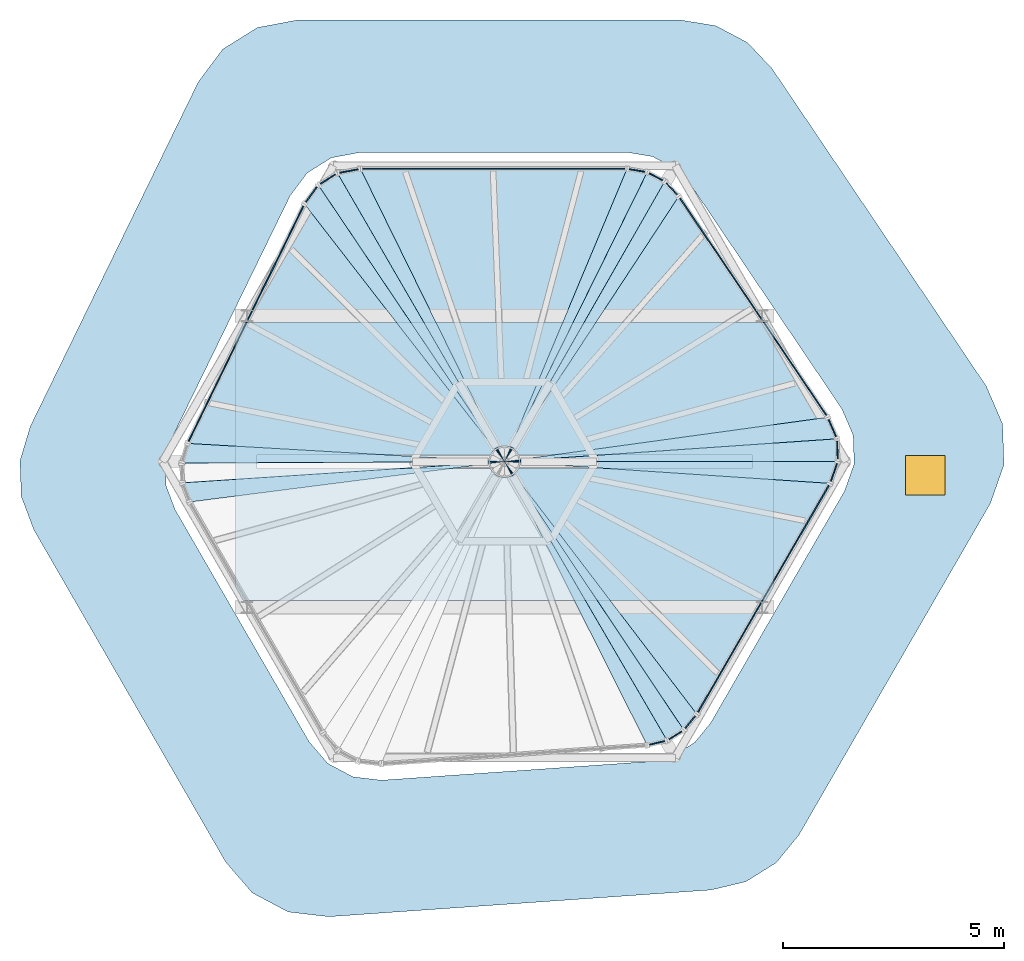
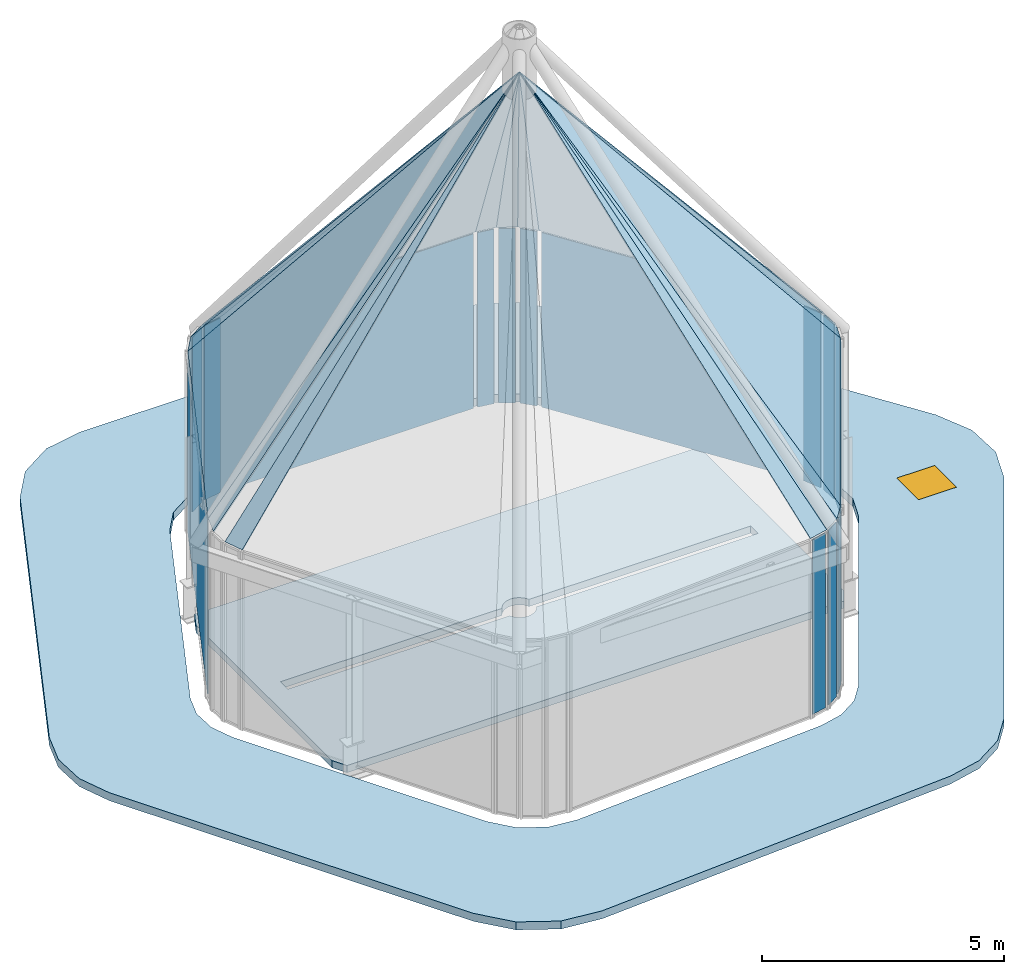
"""IFC4 building model written with IfcOpenShell, lengths in metres."""

from ifc_helpers import new_model, si_unit, direction, frame, origin, origin_2d, place, context, subcontext, project, spatial, polyline, rectangle, outline, extrude, material, layer, layer_set, type_object, element, fill, aggregate, save


model = new_model("IFC4")

# Units and contexts
model_context = context("Model", 3, precision=1e-05, world=origin(), true_north=direction((0.0, 1.0)))
body_context = subcontext(model_context, "Body", "Model", "MODEL_VIEW")
ifc_project = project(units=[si_unit("LENGTHUNIT", "METRE"), si_unit("AREAUNIT", "SQUARE_METRE"), si_unit("VOLUMEUNIT", "CUBIC_METRE"), si_unit("PLANEANGLEUNIT", "RADIAN"), si_unit("MASSUNIT", "GRAM", prefix="KILO")], contexts=[model_context])

# Site, building, storey
site_placement = place(None, origin())
site = spatial("IfcSite", under=ifc_project, at=site_placement, CompositionType="ELEMENT")
building_placement = place(site_placement, origin())
building = spatial("IfcBuilding", under=site, at=building_placement, Name="Tarnside Tower", CompositionType="ELEMENT")
storey_1_placement = place(building_placement, frame((0.0, 0.0, 410.699951171875)))
storey_1 = spatial("IfcBuildingStorey", under=building, at=storey_1_placement, Name="L97", CompositionType="ELEMENT", Elevation=410.699951171875)

# Curtain wall, plate
ifc_material_1 = material(Name="Crown glazing wall", Category="glass")
curtain_wall_type_1 = type_object("IfcCurtainWallType", Name="Crown glazing wall", PredefinedType="NOTDEFINED", material=ifc_material_1)
curtain_wall_1_placement = place(storey_1_placement, origin())
curtain_wall_1 = element("IfcCurtainWall", 1, at=curtain_wall_1_placement, inside=storey_1, type_object=curtain_wall_type_1, Name="Crown glazing L97 01", PredefinedType="NOTDEFINED")
ifc_material_2 = material(Name="Low-iron safety glass", Category="glass")
ifc_layer_1 = layer(ifc_material_2, 0.028076171875)
ifc_layer_set_1 = layer_set([ifc_layer_1], Name="Crown glazing panel 28")
plate_type_1 = type_object("IfcPlateType", Name="Crown glazing panel 28", PredefinedType="CURTAIN_PANEL", material=ifc_layer_set_1)
plate_1_placement = place(storey_1_placement, frame((3.0029296875, 6.59228515625, 0.050048828125), z_axis=(0.0, 0.0, 1.0), x_axis=(0.986761532213, -0.162177922497, 0.0)))
plate_1 = element("IfcPlate", 2, at=plate_1_placement, type_object=plate_type_1, Name="CW6 panel 1.1", PredefinedType="CURTAIN_PANEL", context=body_context, shape_type="SweptSolid", body=[
    extrude(rectangle(XDim=0.36474609375, YDim=0.028076171875, at=origin_2d()), origin(), (0.0, 0.0, 1.0), 4.39990234375),
])
aggregate(curtain_wall_1, [plate_1])

curtain_wall_2_placement = place(storey_1_placement, origin())
curtain_wall_2 = element("IfcCurtainWall", 3, at=curtain_wall_2_placement, inside=storey_1, type_object=curtain_wall_type_1, Name="Crown glazing L97 02", PredefinedType="NOTDEFINED")
plate_2_placement = place(storey_1_placement, frame((3.429443359375, 6.44970703125, 0.050048828125), z_axis=(0.0, 0.0, 1.0), x_axis=(0.882947592359, -0.469471563726, 0.0)))
plate_2 = element("IfcPlate", 4, at=plate_2_placement, type_object=plate_type_1, Name="CW6 panel 1.1", PredefinedType="CURTAIN_PANEL", context=body_context, shape_type="SweptSolid", body=[
    extrude(rectangle(XDim=0.3466796875, YDim=0.028076171875, at=origin_2d()), origin(), (0.0, 0.0, 1.0), 4.39990234375),
])
aggregate(curtain_wall_2, [plate_2])

curtain_wall_3_placement = place(storey_1_placement, origin())
curtain_wall_3 = element("IfcCurtainWall", 5, at=curtain_wall_3_placement, inside=storey_1, type_object=curtain_wall_type_1, Name="Crown glazing L97 03", PredefinedType="NOTDEFINED")
plate_3_placement = place(storey_1_placement, frame((3.7861328125, 6.17578125, 0.050048828125), z_axis=(0.0, 0.0, 1.0), x_axis=(0.686241638093, -0.727373641361, 0.0)))
plate_3 = element("IfcPlate", 6, at=plate_3_placement, type_object=plate_type_1, Name="CW6 panel 1.1", PredefinedType="CURTAIN_PANEL", context=body_context, shape_type="SweptSolid", body=[
    extrude(rectangle(XDim=0.36474609375, YDim=0.028076171875, at=origin_2d()), origin(), (0.0, 0.0, 1.0), 4.39990234375),
])
aggregate(curtain_wall_3, [plate_3])

curtain_wall_4_placement = place(storey_1_placement, origin())
curtain_wall_4 = element("IfcCurtainWall", 7, at=curtain_wall_4_placement, inside=storey_1, type_object=curtain_wall_type_1, Name="Crown glazing L97 05", PredefinedType="NOTDEFINED")
plate_4_placement = place(storey_1_placement, frame((7.424560546875, 0.76123046875, 0.050048828125), z_axis=(0.0, 0.0, 1.0), x_axis=(0.396079764848, -0.918216107394, 0.0)))
plate_4 = element("IfcPlate", 8, at=plate_4_placement, type_object=plate_type_1, Name="CW6 panel 1.1", PredefinedType="CURTAIN_PANEL", context=body_context, shape_type="SweptSolid", body=[
    extrude(rectangle(XDim=0.430419921875, YDim=0.028076171875, at=origin_2d()), origin(), (0.0, 0.0, 1.0), 4.39990234375),
])
aggregate(curtain_wall_4, [plate_4])

curtain_wall_5_placement = place(storey_1_placement, origin())
curtain_wall_5 = element("IfcCurtainWall", 9, at=curtain_wall_5_placement, inside=storey_1, type_object=curtain_wall_type_1, Name="Crown glazing L97 06", PredefinedType="NOTDEFINED")
plate_5_placement = place(storey_1_placement, frame((7.538330078125, 0.26318359375, 0.050048828125), z_axis=(0.0, 0.0, 1.0), x_axis=(0.034899496755, -0.999390827017, 0.0)))
plate_5 = element("IfcPlate", 10, at=plate_5_placement, type_object=plate_type_1, Name="CW6 panel 1.1", PredefinedType="CURTAIN_PANEL", context=body_context, shape_type="SweptSolid", body=[
    extrude(rectangle(XDim=0.409423828125, YDim=0.028076171875, at=origin_2d()), origin(), (0.0, 0.0, 1.0), 4.39990234375),
])
aggregate(curtain_wall_5, [plate_5])

curtain_wall_6_placement = place(storey_1_placement, origin())
curtain_wall_6 = element("IfcCurtainWall", 11, at=curtain_wall_6_placement, inside=storey_1, type_object=curtain_wall_type_1, Name="Crown glazing L97 07", PredefinedType="NOTDEFINED")
plate_6_placement = place(storey_1_placement, frame((7.45947265625, -0.241455078125, 0.050048828125), z_axis=(0.0, 0.0, 1.0), x_axis=(-0.331063416331, -0.943608506939, 0.0)))
plate_6 = element("IfcPlate", 12, at=plate_6_placement, type_object=plate_type_1, Name="CW6 panel 1.1", PredefinedType="CURTAIN_PANEL", context=body_context, shape_type="SweptSolid", body=[
    extrude(rectangle(XDim=0.430419921875, YDim=0.028076171875, at=origin_2d()), origin(), (0.0, 0.0, 1.0), 4.39990234375),
])
aggregate(curtain_wall_6, [plate_6])

curtain_wall_7_placement = place(storey_1_placement, origin())
curtain_wall_7 = element("IfcCurtainWall", 13, at=curtain_wall_7_placement, inside=storey_1, type_object=curtain_wall_type_1, Name="Crown glazing L97 09", PredefinedType="NOTDEFINED")
plate_7_placement = place(storey_1_placement, frame((4.207763671875, -5.896728515625, 0.050048828125), z_axis=(0.0, 0.0, 1.0), x_axis=(-0.633830966004, -0.773471593877, 0.0)))
plate_7 = element("IfcPlate", 14, at=plate_7_placement, type_object=plate_type_1, Name="CW6 panel 1.1", PredefinedType="CURTAIN_PANEL", context=body_context, shape_type="SweptSolid", body=[
    extrude(rectangle(XDim=0.36474609375, YDim=0.028076171875, at=origin_2d()), origin(), (0.0, 0.0, 1.0), 4.39990234375),
])
aggregate(curtain_wall_7, [plate_7])

curtain_wall_8_placement = place(storey_1_placement, origin())
curtain_wall_8 = element("IfcCurtainWall", 15, at=curtain_wall_8_placement, inside=storey_1, type_object=curtain_wall_type_1, Name="Crown glazing L97 10", PredefinedType="NOTDEFINED")
plate_8_placement = place(storey_1_placement, frame((3.870849609375, -6.19482421875, 0.050048828125), z_axis=(0.0, 0.0, 1.0), x_axis=(-0.848048096896, -0.529919263049, 0.0)))
plate_8 = element("IfcPlate", 16, at=plate_8_placement, type_object=plate_type_1, Name="CW6 panel 1.1", PredefinedType="CURTAIN_PANEL", context=body_context, shape_type="SweptSolid", body=[
    extrude(rectangle(XDim=0.3466796875, YDim=0.028076171875, at=origin_2d()), origin(), (0.0, 0.0, 1.0), 4.39990234375),
])
aggregate(curtain_wall_8, [plate_8])

curtain_wall_9_placement = place(storey_1_placement, origin())
curtain_wall_9 = element("IfcCurtainWall", 17, at=curtain_wall_9_placement, inside=storey_1, type_object=curtain_wall_type_1, Name="Crown glazing L97 11", PredefinedType="NOTDEFINED")
plate_9_placement = place(storey_1_placement, frame((3.455322265625, -6.36669921875, 0.050048828125), z_axis=(0.0, 0.0, 1.0), x_axis=(-0.973044870521, -0.230615870992, 0.0)))
plate_9 = element("IfcPlate", 18, at=plate_9_placement, type_object=plate_type_1, Name="CW6 panel 1.1", PredefinedType="CURTAIN_PANEL", context=body_context, shape_type="SweptSolid", body=[
    extrude(rectangle(XDim=0.36474609375, YDim=0.028076171875, at=origin_2d()), origin(), (0.0, 0.0, 1.0), 4.39990234375),
])
aggregate(curtain_wall_9, [plate_9])

curtain_wall_10_placement = place(storey_1_placement, origin())
curtain_wall_10 = element("IfcCurtainWall", 19, at=curtain_wall_10_placement, inside=storey_1, type_object=curtain_wall_type_1, Name="Crown glazing L97 21", PredefinedType="NOTDEFINED")
plate_10_placement = place(storey_1_placement, frame((-4.37158203125, 6.049072265625, 0.050048828125), z_axis=(0.0, 0.0, 1.0), x_axis=(0.597158590713, 0.802123193492, 0.0)))
plate_10 = element("IfcPlate", 20, at=plate_10_placement, type_object=plate_type_1, Name="CW6 panel 1.1", PredefinedType="CURTAIN_PANEL", context=body_context, shape_type="SweptSolid", body=[
    extrude(rectangle(XDim=0.430419921875, YDim=0.028076171875, at=origin_2d()), origin(), (0.0, 0.0, 1.0), 4.39990234375),
])
aggregate(curtain_wall_10, [plate_10])

curtain_wall_11_placement = place(storey_1_placement, origin())
curtain_wall_11 = element("IfcCurtainWall", 21, at=curtain_wall_11_placement, inside=storey_1, type_object=curtain_wall_type_1, Name="Crown glazing L97 22", PredefinedType="NOTDEFINED")
plate_11_placement = place(storey_1_placement, frame((-3.997314453125, 6.39697265625, 0.050048828125), z_axis=(0.0, 0.0, 1.0), x_axis=(0.848048096721, 0.52991926333, 0.0)))
plate_11 = element("IfcPlate", 22, at=plate_11_placement, type_object=plate_type_1, Name="CW6 panel 1.1", PredefinedType="CURTAIN_PANEL", context=body_context, shape_type="SweptSolid", body=[
    extrude(rectangle(XDim=0.409423828125, YDim=0.028076171875, at=origin_2d()), origin(), (0.0, 0.0, 1.0), 4.39990234375),
])
aggregate(curtain_wall_11, [plate_11])

curtain_wall_12_placement = place(storey_1_placement, origin())
curtain_wall_12 = element("IfcCurtainWall", 23, at=curtain_wall_12_placement, inside=storey_1, type_object=curtain_wall_type_1, Name="Crown glazing L97 23", PredefinedType="NOTDEFINED")
plate_12_placement = place(storey_1_placement, frame((-3.5205078125, 6.580810546875, 0.050048828125), z_axis=(0.0, 0.0, 1.0), x_axis=(0.98272064665, 0.185094923342, 0.0)))
plate_12 = element("IfcPlate", 24, at=plate_12_placement, type_object=plate_type_1, Name="CW6 panel 1.1", PredefinedType="CURTAIN_PANEL", context=body_context, shape_type="SweptSolid", body=[
    extrude(rectangle(XDim=0.430419921875, YDim=0.028076171875, at=origin_2d()), origin(), (0.0, 0.0, 1.0), 4.39990234375),
])
aggregate(curtain_wall_12, [plate_12])

curtain_wall_13_placement = place(storey_1_placement, origin())
curtain_wall_13 = element("IfcCurtainWall", 25, at=curtain_wall_13_placement, inside=storey_1, type_object=curtain_wall_type_1, Name="Crown glazing L97 00", PredefinedType="NOTDEFINED")
ifc_material_3 = material(Name="Insulated aluminium panel", Category="aluminium")
ifc_layer_2 = layer(ifc_material_3, 0.028076171875)
ifc_layer_set_2 = layer_set([ifc_layer_2], Name="Crown glazing spandrel panel 28")
plate_type_2 = type_object("IfcPlateType", Name="Crown glazing spandrel panel 28", PredefinedType="CURTAIN_PANEL", material=ifc_layer_set_2)
plate_13_placement = place(storey_1_placement, frame((-0.2431640625, 6.6298828125, 0.050048828125), z_axis=(0.0, 0.0, 1.0), x_axis=(1.0, 0.0, 0.0)))
plate_13 = element("IfcPlate", 26, at=plate_13_placement, type_object=plate_type_2, Name="CW6 panel 1.1", PredefinedType="CURTAIN_PANEL", context=body_context, shape_type="SweptSolid", body=[
    extrude(rectangle(XDim=5.93359375, YDim=0.028076171875, at=origin_2d()), origin(), (0.0, 0.0, 1.0), 4.39990234375),
])
aggregate(curtain_wall_13, [plate_13])

curtain_wall_14_placement = place(storey_1_placement, origin())
curtain_wall_14 = element("IfcCurtainWall", 27, at=curtain_wall_14_placement, inside=storey_1, type_object=curtain_wall_type_1, Name="Crown glazing L97 04", PredefinedType="NOTDEFINED")
plate_14_placement = place(storey_1_placement, frame((5.632568359375, 3.505859375, 0.050048828125), z_axis=(0.0, 0.0, 1.0), x_axis=(0.559192903514, -0.829037572526, 0.0)))
plate_14 = element("IfcPlate", 28, at=plate_14_placement, type_object=plate_type_2, Name="CW6 panel 1.1", PredefinedType="CURTAIN_PANEL", context=body_context, shape_type="SweptSolid", body=[
    extrude(rectangle(XDim=5.93359375, YDim=0.028076171875, at=origin_2d()), origin(), (0.0, 0.0, 1.0), 4.39990234375),
])
aggregate(curtain_wall_14, [plate_14])

curtain_wall_15_placement = place(storey_1_placement, origin())
curtain_wall_15 = element("IfcCurtainWall", 29, at=curtain_wall_15_placement, inside=storey_1, type_object=curtain_wall_type_1, Name="Crown glazing L97 08", PredefinedType="NOTDEFINED")
plate_15_placement = place(storey_1_placement, frame((5.86328125, -3.104248046875, 0.050048828125), z_axis=(0.0, 0.0, 1.0), x_axis=(-0.500000000136, -0.866025403706, 0.0)))
plate_15 = element("IfcPlate", 30, at=plate_15_placement, type_object=plate_type_2, Name="CW6 panel 1.1", PredefinedType="CURTAIN_PANEL", context=body_context, shape_type="SweptSolid", body=[
    extrude(rectangle(XDim=5.93359375, YDim=0.028076171875, at=origin_2d()), origin(), (0.0, 0.0, 1.0), 4.39990234375),
])
aggregate(curtain_wall_15, [plate_15])

curtain_wall_16_placement = place(storey_1_placement, origin())
curtain_wall_16 = element("IfcCurtainWall", 31, at=curtain_wall_16_placement, inside=storey_1, type_object=curtain_wall_type_1, Name="Crown glazing L97 20", PredefinedType="NOTDEFINED")
plate_16_placement = place(storey_1_placement, frame((-5.852294921875, 3.125, 0.050048828125), z_axis=(0.0, 0.0, 1.0), x_axis=(0.438371146899, 0.898794046246, 0.0)))
plate_16 = element("IfcPlate", 32, at=plate_16_placement, type_object=plate_type_2, Name="CW6 panel 1.1", PredefinedType="CURTAIN_PANEL", context=body_context, shape_type="SweptSolid", body=[
    extrude(rectangle(XDim=5.93359375, YDim=0.028076171875, at=origin_2d()), origin(), (0.0, 0.0, 1.0), 4.39990234375),
])
aggregate(curtain_wall_16, [plate_16])

ifc_material_4 = material(Name="Crown roof glazing", Category="glass")
curtain_wall_type_2 = type_object("IfcCurtainWallType", Name="Crown roof glazing", PredefinedType="NOTDEFINED", material=ifc_material_4)
curtain_wall_17_placement = place(storey_1_placement, origin())
curtain_wall_17 = element("IfcCurtainWall", 33, at=curtain_wall_17_placement, inside=storey_1, type_object=curtain_wall_type_2, Name="Crown glass roof facet 01", PredefinedType="NOTDEFINED")
ifc_layer_3 = layer(ifc_material_2, 0.028076171875)
ifc_layer_set_3 = layer_set([ifc_layer_3], Name="Crown roof glass facet 28")
plate_type_3 = type_object("IfcPlateType", Name="Crown roof glass facet 28", PredefinedType="CURTAIN_PANEL", material=ifc_layer_set_3)
plate_17_placement = place(storey_1_placement, frame((-3.78125, 6.53173828125, 4.5), z_axis=(-0.406200774256, 0.650068146866, 0.642193378527), x_axis=(-0.848085464049, -0.529859453092, -7.5085423e-05)))
plate_17 = element("IfcPlate", 34, at=plate_17_placement, type_object=plate_type_3, Name="Roof facet 01", PredefinedType="CURTAIN_PANEL", context=body_context, shape_type="SweptSolid", body=[
    extrude(outline(polyline([(0.0, 0.0), (0.5092182328050195, 0.0), (0.25356010633240417, 11.741054264551934), (0.25322369399911765, 11.741004351967092), (0.0, 0.0)])), origin(), (0.0, 0.0, -1.0), 0.028076171875),
])
aggregate(curtain_wall_17, [plate_17])

curtain_wall_18_placement = place(storey_1_placement, origin())
curtain_wall_18 = element("IfcCurtainWall", 35, at=curtain_wall_18_placement, inside=storey_1, type_object=curtain_wall_type_2, Name="Crown glass roof facet 02", PredefinedType="NOTDEFINED")
plate_18_placement = place(storey_1_placement, frame((-4.213134765625, 6.261962890625, 4.5), z_axis=(-0.629332906439, 0.468298783506, 0.620190569292), x_axis=(-0.596976324264, -0.802258853656, 0.0)))
plate_18 = element("IfcPlate", 36, at=plate_18_placement, type_object=plate_type_3, Name="Roof facet 02", PredefinedType="CURTAIN_PANEL", context=body_context, shape_type="SweptSolid", body=[
    extrude(outline(polyline([(0.0, 0.0), (0.5304236998270305, 0.0), (2.507635047688071, 11.472989270104623), (2.507635047688071, 11.472989270104623), (0.0, 0.0)])), origin(), (0.0, 0.0, -1.0), 0.028076171875),
])
aggregate(curtain_wall_18, [plate_18])

curtain_wall_19_placement = place(storey_1_placement, origin())
curtain_wall_19 = element("IfcCurtainWall", 37, at=curtain_wall_19_placement, inside=storey_1, type_object=curtain_wall_type_2, Name="Crown glass roof facet 03", PredefinedType="NOTDEFINED")
plate_19_placement = place(storey_1_placement, frame((-4.52978515625, 5.83642578125, 4.5), z_axis=(-0.723731406266, 0.35302302833, 0.592948221224), x_axis=(-0.438399887291, -0.898780027989, 1.0591729e-05)))
plate_19 = element("IfcPlate", 38, at=plate_19_placement, type_object=plate_type_3, Name="Roof facet 03", PredefinedType="CURTAIN_PANEL", context=body_context, shape_type="SweptSolid", body=[
    extrude(outline(polyline([(0.0, 0.0), (6.03352694350386, 0.0), (3.2609658965874284, 11.176740938154282), (3.258455882015076, 11.176820333144486), (0.0, 0.0)])), origin(), (0.0, 0.0, -1.0), 0.028076171875),
])
aggregate(curtain_wall_19, [plate_19])

curtain_wall_20_placement = place(storey_1_placement, origin())
curtain_wall_20 = element("IfcCurtainWall", 39, at=curtain_wall_20_placement, inside=storey_1, type_object=curtain_wall_type_2, Name="Crown glass roof facet 04", PredefinedType="NOTDEFINED")
plate_20_placement = place(storey_1_placement, frame((-7.1748046875, 0.41357421875, 4.5), z_axis=(-0.7566606156, 0.226376271845, 0.61336652692), x_axis=(-0.286679647629, -0.958026499799, -7.2927523e-05)))
plate_20 = element("IfcPlate", 40, at=plate_20_placement, type_object=plate_type_3, Name="Roof facet 04", PredefinedType="CURTAIN_PANEL", context=body_context, shape_type="SweptSolid", body=[
    extrude(outline(polyline([(0.0, 0.0), (0.464835796689108, -1.3877787807814457e-17), (-1.6604718843468542, 11.395159839657067), (-1.6607057775352816, 11.39511689657084), (0.0, 0.0)])), origin(), (0.0, 0.0, -1.0), 0.028076171875),
])
aggregate(curtain_wall_20, [plate_20])

curtain_wall_21_placement = place(storey_1_placement, origin())
curtain_wall_21 = element("IfcCurtainWall", 41, at=curtain_wall_21_placement, inside=storey_1, type_object=curtain_wall_type_2, Name="Crown glass roof facet 06", PredefinedType="NOTDEFINED")
plate_21_placement = place(storey_1_placement, frame((-7.29248046875, -0.47802734375, 4.5), z_axis=(-0.739007882969, -0.278683107382, 0.613353955372), x_axis=(0.352849112516, -0.935680235869, 0.0)))
plate_21 = element("IfcPlate", 42, at=plate_21_placement, type_object=plate_type_3, Name="Roof facet 06", PredefinedType="CURTAIN_PANEL", context=body_context, shape_type="SweptSolid", body=[
    extrude(outline(polyline([(0.0, 0.0), (0.46496503513917853, 0.0), (2.1250592236126584, 11.395172253096908), (2.1250592236126584, 11.395172253096908), (0.0, 0.0)])), origin(), (0.0, 0.0, -1.0), 0.028076171875),
])
aggregate(curtain_wall_21, [plate_21])

curtain_wall_22_placement = place(storey_1_placement, origin())
curtain_wall_22 = element("IfcCurtainWall", 43, at=curtain_wall_22_placement, inside=storey_1, type_object=curtain_wall_type_2, Name="Crown glass roof facet 12", PredefinedType="NOTDEFINED")
plate_22_placement = place(storey_1_placement, frame((3.229248046875, -6.42041015625, 4.5), z_axis=(0.182369688358, -0.76843955049, 0.613385648683), x_axis=(0.973008709195, 0.230768317138, -0.000188777121)))
plate_22 = element("IfcPlate", 44, at=plate_22_placement, type_object=plate_type_3, Name="Roof facet 12", PredefinedType="CURTAIN_PANEL", context=body_context, shape_type="SweptSolid", body=[
    extrude(outline(polyline([(0.0, 0.0), (0.46491514388699473, 0.0), (-1.6612963142441184, 11.39513061963887), (-1.6615902051196876, 11.395019423570659), (0.0, 0.0)])), origin(), (0.0, 0.0, -1.0), 0.028076171875),
])
aggregate(curtain_wall_22, [plate_22])

curtain_wall_23_placement = place(storey_1_placement, origin())
curtain_wall_23 = element("IfcCurtainWall", 45, at=curtain_wall_23_placement, inside=storey_1, type_object=curtain_wall_type_2, Name="Crown glass roof facet 13", PredefinedType="NOTDEFINED")
plate_23_placement = place(storey_1_placement, frame((3.681640625, -6.313232421875, 4.5), z_axis=(0.411576735297, -0.658522776476, 0.630041541348), x_axis=(0.847937337184, 0.530096455484, 0.000141750479)))
plate_23 = element("IfcPlate", 46, at=plate_23_placement, type_object=plate_type_3, Name="Roof facet 13", PredefinedType="CURTAIN_PANEL", context=body_context, shape_type="SweptSolid", body=[
    extrude(outline(polyline([(0.0, 0.0), (0.44661727826936604, -2.7755575615628914e-17), (0.22625226662030024, 11.589512070592765), (0.22604525066883957, 11.589593632148867), (0.0, 0.0)])), origin(), (0.0, 0.0, -1.0), 0.028076171875),
])
aggregate(curtain_wall_23, [plate_23])

curtain_wall_24_placement = place(storey_1_placement, origin())
curtain_wall_24 = element("IfcCurtainWall", 47, at=curtain_wall_24_placement, inside=storey_1, type_object=curtain_wall_type_2, Name="Crown glass roof facet 14", PredefinedType="NOTDEFINED")
plate_24_placement = place(storey_1_placement, frame((4.060302734375, -6.076416015625, 4.5), z_axis=(0.610911276055, -0.500590570399, 0.613348590621), x_axis=(0.63390639252, 0.773409761709, -0.000161293902)))
plate_24 = element("IfcPlate", 48, at=plate_24_placement, type_object=plate_type_3, Name="Roof facet 14", PredefinedType="CURTAIN_PANEL", context=body_context, shape_type="SweptSolid", body=[
    extrude(outline(polyline([(0.0, 0.0), (0.4647422326677449, -2.7755575615628914e-17), (2.12363990812151, 11.395546068136632), (2.1234510873789048, 11.395451120839587), (0.0, 0.0)])), origin(), (0.0, 0.0, -1.0), 0.028076171875),
])
aggregate(curtain_wall_24, [plate_24])

curtain_wall_25_placement = place(storey_1_placement, origin())
curtain_wall_25 = element("IfcCurtainWall", 49, at=curtain_wall_25_placement, inside=storey_1, type_object=curtain_wall_type_2, Name="Crown glass roof facet 15", PredefinedType="NOTDEFINED")
plate_25_placement = place(storey_1_placement, frame((4.35498046875, -5.717041015625, 4.5), z_axis=(0.697347709909, -0.402625397688, 0.592957806779), x_axis=(0.500006654195, 0.866021561925, 6.375722e-06)))
plate_25 = element("IfcPlate", 50, at=plate_25_placement, type_object=plate_type_3, Name="Roof facet 15", PredefinedType="CURTAIN_PANEL", context=body_context, shape_type="SweptSolid", body=[
    extrude(outline(polyline([(0.0, 0.0), (6.033701590766951, 0.0), (2.7748723903758443, 11.176859833142684), (2.772570582327412, 11.176907625340302), (0.0, 0.0)])), origin(), (0.0, 0.0, -1.0), 0.028076171875),
])
aggregate(curtain_wall_25, [plate_25])

curtain_wall_26_placement = place(storey_1_placement, origin())
curtain_wall_26 = element("IfcCurtainWall", 51, at=curtain_wall_26_placement, inside=storey_1, type_object=curtain_wall_type_2, Name="Crown glass roof facet 16", PredefinedType="NOTDEFINED")
plate_26_placement = place(storey_1_placement, frame((7.371826171875, -0.49169921875, 4.5), z_axis=(0.740233150489, -0.259496652951, 0.620255084642), x_axis=(0.330877054593, 0.943673868058, -7.4089369e-05)))
plate_26 = element("IfcPlate", 52, at=plate_26_placement, type_object=plate_type_3, Name="Roof facet 16", PredefinedType="CURTAIN_PANEL", context=body_context, shape_type="SweptSolid", body=[
    extrude(outline(polyline([(0.0, 0.0), (0.5303789140064127, 0.0), (-1.9748618649910508, 11.473548890093147), (-1.9750922541189944, 11.473498772168607), (0.0, 0.0)])), origin(), (0.0, 0.0, -1.0), 0.028076171875),
])
aggregate(curtain_wall_26, [plate_26])

curtain_wall_27_placement = place(storey_1_placement, origin())
curtain_wall_27 = element("IfcCurtainWall", 53, at=curtain_wall_27_placement, inside=storey_1, type_object=curtain_wall_type_2, Name="Crown glass roof facet 17", PredefinedType="NOTDEFINED")
plate_27_placement = place(storey_1_placement, frame((7.54736328125, 0.0087890625, 4.5), z_axis=(0.766069294282, 0.026808752868, 0.642198666402), x_axis=(-0.034980706558, 0.999387987771, 8.252279e-06)))
plate_27 = element("IfcPlate", 54, at=plate_27_placement, type_object=plate_type_3, Name="Roof facet 17", PredefinedType="CURTAIN_PANEL", context=body_context, shape_type="SweptSolid", body=[
    extrude(outline(polyline([(0.0, 0.0), (0.5093451040236543, 0.0), (0.2554441959246935, 11.741094477473629), (0.2552002047167416, 11.741099963529518), (0.0, 0.0)])), origin(), (0.0, 0.0, -1.0), 0.028076171875),
])
aggregate(curtain_wall_27, [plate_27])

curtain_wall_28_placement = place(storey_1_placement, origin())
curtain_wall_28 = element("IfcCurtainWall", 55, at=curtain_wall_28_placement, inside=storey_1, type_object=curtain_wall_type_2, Name="Crown glass roof facet 18", PredefinedType="NOTDEFINED")
plate_28_placement = place(storey_1_placement, frame((7.529541015625, 0.517822265625, 4.5), z_axis=(0.720364528644, 0.310377502321, 0.620274739067), x_axis=(-0.39575989813, 0.918354014081, 8.8617723e-05)))
plate_28 = element("IfcPlate", 56, at=plate_28_placement, type_object=plate_type_3, Name="Roof facet 18", PredefinedType="CURTAIN_PANEL", context=body_context, shape_type="SweptSolid", body=[
    extrude(outline(polyline([(0.0, 0.0), (0.5303881275595144, 1.3877787807814457e-17), (2.504432750816967, 11.473679842695814), (2.504208543293998, 11.473739789889322), (0.0, 0.0)])), origin(), (0.0, 0.0, -1.0), 0.028076171875),
])
aggregate(curtain_wall_28, [plate_28])

curtain_wall_29_placement = place(storey_1_placement, origin())
curtain_wall_29 = element("IfcCurtainWall", 57, at=curtain_wall_29_placement, inside=storey_1, type_object=curtain_wall_type_2, Name="Crown glass roof facet 19", PredefinedType="NOTDEFINED")
plate_29_placement = place(storey_1_placement, frame((7.319580078125, 1.0048828125, 4.5), z_axis=(0.667549905913, 0.450309572558, 0.592957344148), x_axis=(-0.559222403984, 0.829017673388, -9.665084e-06)))
plate_29 = element("IfcPlate", 58, at=plate_29_placement, type_object=plate_type_3, Name="Roof facet 19", PredefinedType="CURTAIN_PANEL", context=body_context, shape_type="SweptSolid", body=[
    extrude(outline(polyline([(0.0, 0.0), (6.033537039898302, -4.440892098500626e-16), (3.2613253659278354, 11.176916221127884), (3.258887017341164, 11.176843772352338), (0.0, 0.0)])), origin(), (0.0, 0.0, -1.0), 0.028076171875),
])
aggregate(curtain_wall_29, [plate_29])

curtain_wall_30_placement = place(storey_1_placement, origin())
curtain_wall_30 = element("IfcCurtainWall", 59, at=curtain_wall_30_placement, inside=storey_1, type_object=curtain_wall_type_2, Name="Crown glass roof facet 20", PredefinedType="NOTDEFINED")
plate_30_placement = place(storey_1_placement, frame((3.945556640625, 6.0068359375, 4.5), z_axis=(0.57463920198, 0.54186194786, 0.613331408791), x_axis=(-0.686052594955, 0.727551947943, 0.0)))
plate_30 = element("IfcPlate", 60, at=plate_30_placement, type_object=plate_type_3, Name="Roof facet 20", PredefinedType="CURTAIN_PANEL", context=body_context, shape_type="SweptSolid", body=[
    extrude(outline(polyline([(0.0, 0.0), (0.4647568693633176, 0.0), (-1.6626545254390506, 11.39491964509266), (-1.6626545254390506, 11.39491964509266), (0.0, 0.0)])), origin(), (0.0, 0.0, -1.0), 0.028076171875),
])
aggregate(curtain_wall_30, [plate_30])

curtain_wall_31_placement = place(storey_1_placement, origin())
curtain_wall_31 = element("IfcCurtainWall", 61, at=curtain_wall_31_placement, inside=storey_1, type_object=curtain_wall_type_2, Name="Crown glass roof facet 21", PredefinedType="NOTDEFINED")
plate_31_placement = place(storey_1_placement, frame((3.626708984375, 6.344970703125, 4.5), z_axis=(0.364646310463, 0.685619865137, 0.630046402097), x_axis=(-0.882938559874, 0.469488537962, 0.000110500024)))
plate_31 = element("IfcPlate", 62, at=plate_31_placement, type_object=plate_type_3, Name="Roof facet 21", PredefinedType="CURTAIN_PANEL", context=body_context, shape_type="SweptSolid", body=[
    extrude(outline(polyline([(0.0, 0.0), (0.446806486051134, 1.3877787807814457e-17), (0.22444771675456, 11.589580212549283), (0.22411753435762738, 11.589643837733167), (0.0, 0.0)])), origin(), (0.0, 0.0, -1.0), 0.028076171875),
])
aggregate(curtain_wall_31, [plate_31])

curtain_wall_32_placement = place(storey_1_placement, origin())
curtain_wall_32 = element("IfcCurtainWall", 63, at=curtain_wall_32_placement, inside=storey_1, type_object=curtain_wall_type_2, Name="Crown glass roof facet 22", PredefinedType="NOTDEFINED")
plate_32_placement = place(storey_1_placement, frame((3.232177734375, 6.5546875, 4.5), z_axis=(0.127764354281, 0.779445524983, 0.613303304539), x_axis=(-0.986830413925, 0.161758258376, 0.0)))
plate_32 = element("IfcPlate", 64, at=plate_32_placement, type_object=plate_type_3, Name="Roof facet 22", PredefinedType="CURTAIN_PANEL", context=body_context, shape_type="SweptSolid", body=[
    extrude(outline(polyline([(0.0, 0.0), (0.4648622781603199, 0.0), (2.128566239706985, 11.394604806429985), (2.128566239706985, 11.394604806429985), (0.0, 0.0)])), origin(), (0.0, 0.0, -1.0), 0.028076171875),
])
aggregate(curtain_wall_32, [plate_32])

curtain_wall_33_placement = place(storey_1_placement, origin())
curtain_wall_33 = element("IfcCurtainWall", 65, at=curtain_wall_33_placement, inside=storey_1, type_object=curtain_wall_type_2, Name="Crown glass roof facet 23", PredefinedType="NOTDEFINED")
plate_33_placement = place(storey_1_placement, frame((2.7734375, 6.6298828125, 4.5), z_axis=(0.0, 0.805243017037, 0.592944924519), x_axis=(-1.0, 0.0, 0.0)))
plate_33 = element("IfcPlate", 66, at=plate_33_placement, type_object=plate_type_3, Name="Roof facet 23", PredefinedType="CURTAIN_PANEL", context=body_context, shape_type="SweptSolid", body=[
    extrude(outline(polyline([(0.0, 0.0), (6.033447265625, 0.0), (2.774658203125, 11.176750135773254), (2.772216796875, 11.176750135773254), (0.0, 0.0)])), origin(), (0.0, 0.0, -1.0), 0.028076171875),
])
aggregate(curtain_wall_33, [plate_33])

curtain_wall_34_placement = place(storey_1_placement, origin())
curtain_wall_34 = element("IfcCurtainWall", 67, at=curtain_wall_34_placement, inside=storey_1, type_object=curtain_wall_type_2, Name="Crown glass roof facet 24", PredefinedType="NOTDEFINED")
plate_34_placement = place(storey_1_placement, frame((-3.260009765625, 6.6298828125, 4.5), z_axis=(-0.145087506385, 0.770912720495, 0.620196092273), x_axis=(-0.982740897952, -0.184987366531, 4.1418647e-05)))
plate_34 = element("IfcPlate", 68, at=plate_34_placement, type_object=plate_type_3, Name="Roof facet 24", PredefinedType="CURTAIN_PANEL", context=body_context, shape_type="SweptSolid", body=[
    extrude(outline(polyline([(0.0, 0.0), (0.5303995943539987, 2.0816681711721685e-17), (-1.9759848250638887, 11.473157480680815), (-1.9762247520409275, 11.47318549834976), (0.0, 0.0)])), origin(), (0.0, 0.0, -1.0), 0.028076171875),
])
aggregate(curtain_wall_34, [plate_34])

# Slab
ifc_material_5 = material(Name="Concrete C35/45", Category="concrete")
ifc_layer_4 = layer(ifc_material_5, 0.179931640625)
ifc_layer_set_4 = layer_set([ifc_layer_4], Name="Roof slab 180")
slab_type_1 = type_object("IfcSlabType", Name="Roof slab 180", PredefinedType="ROOF", material=ifc_layer_set_4)
slab_1_placement = place(storey_1_placement, frame((0.0, 0.0, -0.179931640625)))
element("IfcSlab", 69, at=slab_1_placement, inside=storey_1, type_object=slab_type_1, Name="Roof slab L97 level", PredefinedType="ROOF", context=body_context, shape_type="SweptSolid", body=[
    extrude(outline(polyline([(5.920166015625, -3.146240234375), (-5.920166015625, -3.146240234375), (-6.10009765625, -2.83447265625), (-6.10009765625, 2.777099609375), (-5.919921875, 3.146240234375), (5.959716796875, 3.146240234375), (6.10009765625, 2.93798828125), (6.10009765625, -2.83447265625), (5.920166015625, -3.146240234375)]), holes=[polyline([(0.197509765625, 0.295654296875), (0.135986328125, 0.328369140625), (0.0693359375, 0.3486328125), (0.0, 0.35546875), (-0.0693359375, 0.3486328125), (-0.135986328125, 0.328369140625), (-0.197509765625, 0.295654296875), (-0.25146484375, 0.25146484375), (-0.295654296875, 0.197509765625), (-0.31884765625, 0.15380859375), (-5.60009765625, 0.15380859375), (-5.60009765625, -0.15380859375), (-0.31884765625, -0.15380859375), (-0.295654296875, -0.197509765625), (-0.25146484375, -0.25146484375), (-0.197509765625, -0.295654296875), (-0.135986328125, -0.328369140625), (-0.0693359375, -0.3486328125), (0.0, -0.35546875), (0.0693359375, -0.3486328125), (0.135986328125, -0.328369140625), (0.197509765625, -0.295654296875), (0.25146484375, -0.25146484375), (0.295654296875, -0.197509765625), (0.31884765625, -0.15380859375), (5.60009765625, -0.15380859375), (5.60009765625, 0.15380859375), (0.31884765625, 0.15380859375), (0.295654296875, 0.197509765625), (0.25146484375, 0.25146484375), (0.197509765625, 0.295654296875)])]), origin(), (0.0, 0.0, 1.0), 0.179931640625),
])

# Slab, opening
ifc_layer_5 = layer(ifc_material_5, 0.199951171875)
ifc_layer_set_5 = layer_set([ifc_layer_5], Name="Setback roof slab 200")
slab_type_2 = type_object("IfcSlabType", Name="Setback roof slab 200", PredefinedType="ROOF", material=ifc_layer_set_5)
slab_2_placement = place(storey_1_placement, frame((0.0, 0.0, -0.199951171875)))
slab_2 = element("IfcSlab", 70, at=slab_2_placement, inside=storey_1, type_object=slab_type_2, Name="Setback roof L96", PredefinedType="ROOF", context=body_context, shape_type="SweptSolid", body=[
    extrude(outline(polyline([(4.7880859375, 9.868408203125), (5.50390625, 9.48779296875), (6.060302734375, 8.89794921875), (10.9111328125, 1.70654296875), (11.277587890625, 0.85693359375), (11.309814453125, -0.068115234375), (11.00341796875, -0.94140625), (6.666259765625, -8.45361328125), (6.15234375, -9.080810546875), (5.464599609375, -9.510498046875), (4.67578125, -9.697509765625), (-3.9775390625, -10.302490234375), (-4.896728515625, -10.195068359375), (-5.7138671875, -9.7607421875), (-6.31689453125, -9.05859375), (-10.654052734375, -1.54638671875), (-10.9404296875, -0.787841796875), (-10.96875, 0.022705078125), (-10.736083984375, 0.799560546875), (-6.93359375, 8.595947265625), (-6.380859375, 9.33837890625), (-5.595947265625, 9.82861328125), (-4.6865234375, 10.0), (3.98779296875, 10.0), (4.7880859375, 9.868408203125)]), holes=[polyline([(2.79150390625, 7.0), (-3.280517578125, 7.0), (-3.917236328125, 6.880126953125), (-4.466552734375, 6.536865234375), (-4.853515625, 6.01708984375), (-7.515380859375, 0.5595703125), (-7.677978515625, 0.015869140625), (-7.658203125, -0.551513671875), (-7.4580078125, -1.08251953125), (-4.421875, -6.341064453125), (-3.999755859375, -6.83251953125), (-3.427734375, -7.136474609375), (-2.7841796875, -7.211669921875), (3.27294921875, -6.788330078125), (3.8251953125, -6.6572265625), (4.306640625, -6.3564453125), (4.66650390625, -5.91748046875), (7.702392578125, -0.658935546875), (7.9169921875, -0.047607421875), (7.894287109375, 0.599853515625), (7.6376953125, 1.194580078125), (4.2421875, 6.228515625), (3.852783203125, 6.641357421875), (3.3515625, 6.907958984375), (2.79150390625, 7.0)])]), origin(), (0.0, 0.0, 1.0), 0.199951171875),
])
opening_placement = place(slab_2_placement, frame((9.525146484375, -0.309814453125, 0.0)))
opening = element("IfcOpeningElement", 71, at=opening_placement, cuts=slab_2, Name="Opening RH", PredefinedType="OPENING", context=body_context, shape_type="SweptSolid", body=[
    extrude(rectangle(XDim=0.89990234375, YDim=0.89990234375, at=origin_2d()), origin(), (0.0, 0.0, 1.0), 0.199951171875),
])

# Storey
storey_2_placement = place(building_placement, frame((0.0, 0.0, 406.199951171875)))
storey_2 = spatial("IfcBuildingStorey", under=building, at=storey_2_placement, Name="L96", CompositionType="ELEMENT", Elevation=406.199951171875)

# Door
ifc_material_6 = material(Name="Aluminium alloy 6063", Category="aluminium")
door_type = type_object("IfcDoorType", Name="Roof access hatch 900 x 900", OperationType="NOTDEFINED", PredefinedType="TRAPDOOR", material=ifc_material_6)
door_placement = place(opening_placement, frame((0.0, 0.0, 0.14990234375)))
door = element("IfcDoor", 72, at=door_placement, inside=storey_2, type_object=door_type, Name="Roof access hatch", OperationType="SINGLE_SWING_LEFT", OverallHeight=0.89990234375, OverallWidth=0.89990234375, PredefinedType="TRAPDOOR", context=body_context, shape_type="SweptSolid", body=[
    extrude(rectangle(XDim=0.89990234375, YDim=0.89990234375, at=origin_2d()), origin(), (0.0, 0.0, 1.0), 0.050048828125),
])

fill(opening, door)

save(model, "model.ifc")
